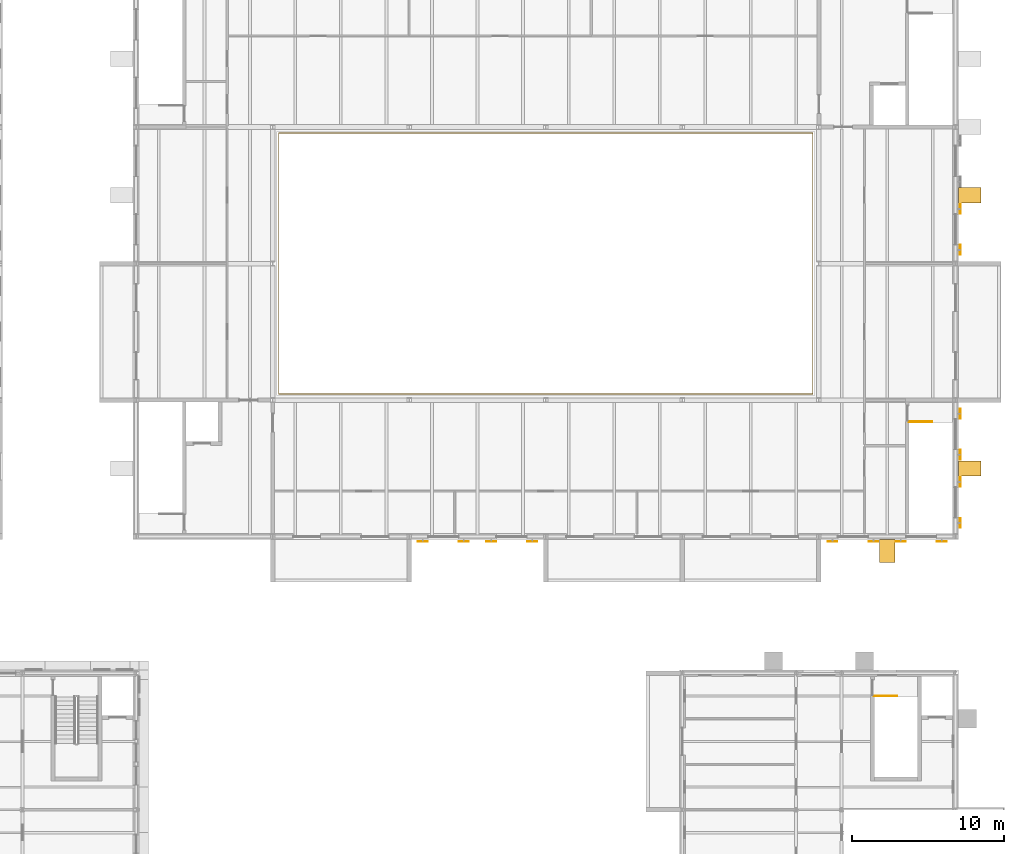
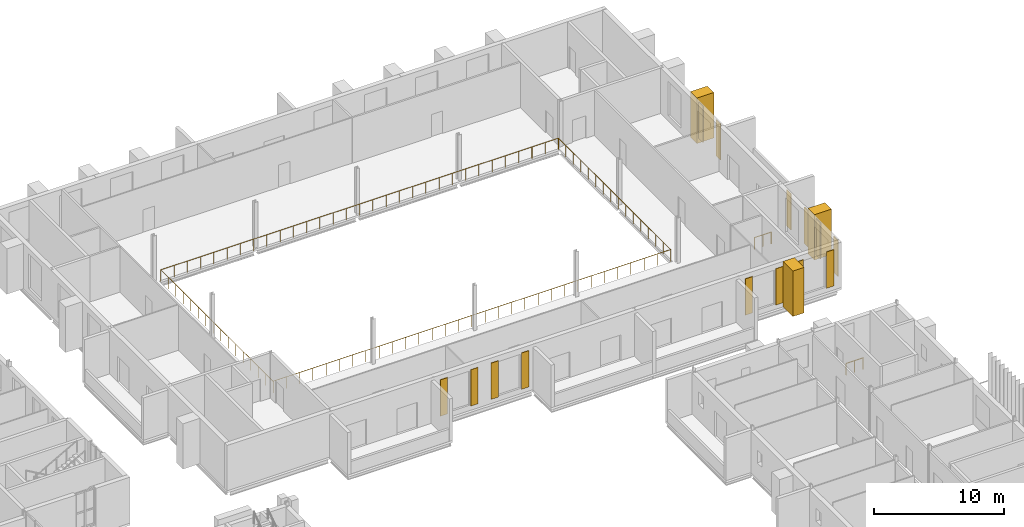
# One storey, part 128 of 131: 14 shading devices, 3 coverings, 3 railings.
"""IFC4 building model written with IfcOpenShell, lengths in metres."""

from ifc_helpers import new_model, si_unit, direction, frame, origin, origin_2d, place, context, subcontext, project, spatial, polyline, rectangle, circle, outline, extrude, material, type_object, element, save


model = new_model("IFC4")

# Units and contexts
model_context = context("Model", 3, precision=1e-05, world=origin(), true_north=direction((0.0, 1.0)))
body_context = subcontext(model_context, "Body", "Model", "MODEL_VIEW")
ifc_project = project(units=[si_unit("LENGTHUNIT", "METRE"), si_unit("AREAUNIT", "SQUARE_METRE"), si_unit("VOLUMEUNIT", "CUBIC_METRE"), si_unit("PLANEANGLEUNIT", "RADIAN"), si_unit("MASSUNIT", "GRAM", prefix="KILO")], contexts=[model_context])

# Site, building, storey
site_placement = place(None, origin())
site = spatial("IfcSite", under=ifc_project, at=site_placement, CompositionType="ELEMENT")
building_placement = place(site_placement, origin())
building = spatial("IfcBuilding", under=site, at=building_placement, Name="Golden Quay Civic Hall", CompositionType="ELEMENT")
storey_placement = place(building_placement, frame((0.0, 0.0, 9.89990234375)))
storey = spatial("IfcBuildingStorey", under=building, at=storey_placement, Name="L02", CompositionType="ELEMENT", Elevation=9.89990234375)

# Coverings
ifc_material_1 = material(Name="Brick, dark clay facing", Category="masonry")
covering_type = type_object("IfcCoveringType", Name="Brick pier cladding 1000 x 1500", PredefinedType="CLADDING", material=ifc_material_1)
covering_1_placement = place(storey_placement, origin())
element("IfcCovering", 1, at=covering_1_placement, inside=storey, type_object=covering_type, Name="Brick pier cladding 1000 x 1500 L02 1", PredefinedType="CLADDING", context=body_context, shape_type="SweptSolid", body=[
    extrude(outline(polyline([(166.0, 62.800048828125), (167.0, 62.800048828125), (167.0, 61.300048828125), (166.0, 61.300048828125), (166.0, 62.800048828125)])), origin(), (0.0, 0.0, 1.0), 4.25),
])
covering_2_placement = place(storey_placement, origin())
element("IfcCovering", 2, at=covering_2_placement, inside=storey, type_object=covering_type, Name="Brick pier cladding 1000 x 1500 L02 12", PredefinedType="CLADDING", context=body_context, shape_type="SweptSolid", body=[
    extrude(outline(polyline([(171.199951171875, 67.0), (171.199951171875, 68.0), (172.699951171875, 68.0), (172.699951171875, 67.0), (171.199951171875, 67.0)])), origin(), (0.0, 0.0, 1.0), 4.25),
])
covering_3_placement = place(storey_placement, origin())
element("IfcCovering", 3, at=covering_3_placement, inside=storey, type_object=covering_type, Name="Brick pier cladding 1000 x 1500 L02 13", PredefinedType="CLADDING", context=body_context, shape_type="SweptSolid", body=[
    extrude(outline(polyline([(171.199951171875, 85.0), (171.199951171875, 86.0), (172.699951171875, 86.0), (172.699951171875, 85.0), (171.199951171875, 85.0)])), origin(), (0.0, 0.0, 1.0), 4.25),
])

# Railings
ifc_material_2 = material(Name="Steel S355", Category="steel")
railing_type = type_object("IfcRailingType", Name="Steel guard 1100", PredefinedType="GUARDRAIL", material=ifc_material_2)
for number, where, name in (
    (4, (165.64990234375, 52.5, 0.0), "L02 EO-N top well guard 1"),
    (5, (167.949951171875, 70.574951171875, 0.0), "L02 LB-STS top well guard 1"),
):
    element("IfcRailing", number, at=place(storey_placement, frame(where)), inside=storey, type_object=railing_type, Name=name, PredefinedType="GUARDRAIL", context=body_context, shape_type="SweptSolid", body=[
        extrude(circle(Radius=0.02392578125, at=origin_2d()), frame((0.0, 0.0, 1.076171875), z_axis=(1.0, 0.0, 0.0), x_axis=(0.0, 1.0, 0.0)), (0.0, 0.0, 1.0), 1.5),
        extrude(circle(Radius=0.02099609375, at=origin_2d()), origin(), (0.0, 0.0, 1.0), 1.052001953125),
        extrude(circle(Radius=0.02099609375, at=origin_2d()), frame((0.75, 0.0, 0.0)), (0.0, 0.0, 1.0), 1.052001953125),
        extrude(circle(Radius=0.02099609375, at=origin_2d()), frame((1.5, 0.0, 0.0)), (0.0, 0.0, 1.0), 1.052001953125),
    ])
railing_placement = place(storey_placement, frame((126.39990234375, 72.39990234375, 0.0)))
element("IfcRailing", 6, at=railing_placement, inside=storey, type_object=railing_type, Name="L02 reading room gallery guard", PredefinedType="GUARDRAIL", context=body_context, shape_type="SweptSolid", body=[
    extrude(circle(Radius=0.02392578125, at=origin_2d()), frame((0.0, 0.0, 1.076171875), z_axis=(1.0, 0.0, 0.0), x_axis=(0.0, 1.0, 0.0)), (0.0, 0.0, 1.0), 35.2001953125),
    extrude(circle(Radius=0.02392578125, at=origin_2d()), frame((35.2001953125, 0.0, 1.076171875), z_axis=(0.0, 1.0, 0.0), x_axis=(-1.0, 0.0, 0.0)), (0.0, 0.0, 1.0), 17.2001953125),
    extrude(circle(Radius=0.02392578125, at=origin_2d()), frame((35.2001953125, 17.2001953125, 1.076171875), z_axis=(-1.0, 0.0, 0.0), x_axis=(0.0, -1.0, 0.0)), (0.0, 0.0, 1.0), 35.2001953125),
    extrude(circle(Radius=0.02392578125, at=origin_2d()), frame((0.0, 17.2001953125, 1.076171875), z_axis=(0.0, -1.0, 0.0), x_axis=(1.0, 0.0, 0.0)), (0.0, 0.0, 1.0), 17.2001953125),
    extrude(circle(Radius=0.02099609375, at=origin_2d()), origin(), (0.0, 0.0, 1.0), 1.052001953125),
    extrude(circle(Radius=0.02099609375, at=origin_2d()), frame((1.17333984375, 0.0, 0.0)), (0.0, 0.0, 1.0), 1.052001953125),
    extrude(circle(Radius=0.02099609375, at=origin_2d()), frame((2.3466796875, 0.0, 0.0)), (0.0, 0.0, 1.0), 1.052001953125),
    extrude(circle(Radius=0.02099609375, at=origin_2d()), frame((3.52001953125, 0.0, 0.0)), (0.0, 0.0, 1.0), 1.052001953125),
    extrude(circle(Radius=0.02099609375, at=origin_2d()), frame((4.693359375, 0.0, 0.0)), (0.0, 0.0, 1.0), 1.052001953125),
    extrude(circle(Radius=0.02099609375, at=origin_2d()), frame((5.86669921875, 0.0, 0.0)), (0.0, 0.0, 1.0), 1.052001953125),
    extrude(circle(Radius=0.02099609375, at=origin_2d()), frame((7.0400390625, 0.0, 0.0)), (0.0, 0.0, 1.0), 1.052001953125),
    extrude(circle(Radius=0.02099609375, at=origin_2d()), frame((8.21337890625, 0.0, 0.0)), (0.0, 0.0, 1.0), 1.052001953125),
    extrude(circle(Radius=0.02099609375, at=origin_2d()), frame((9.38671875, 0.0, 0.0)), (0.0, 0.0, 1.0), 1.052001953125),
    extrude(circle(Radius=0.02099609375, at=origin_2d()), frame((10.56005859375, 0.0, 0.0)), (0.0, 0.0, 1.0), 1.052001953125),
    extrude(circle(Radius=0.02099609375, at=origin_2d()), frame((11.7333984375, 0.0, 0.0)), (0.0, 0.0, 1.0), 1.052001953125),
    extrude(circle(Radius=0.02099609375, at=origin_2d()), frame((12.90673828125, 0.0, 0.0)), (0.0, 0.0, 1.0), 1.052001953125),
    extrude(circle(Radius=0.02099609375, at=origin_2d()), frame((14.080078125, 0.0, 0.0)), (0.0, 0.0, 1.0), 1.052001953125),
    extrude(circle(Radius=0.02099609375, at=origin_2d()), frame((15.25341796875, 0.0, 0.0)), (0.0, 0.0, 1.0), 1.052001953125),
    extrude(circle(Radius=0.02099609375, at=origin_2d()), frame((16.4267578125, 0.0, 0.0)), (0.0, 0.0, 1.0), 1.052001953125),
    extrude(circle(Radius=0.02099609375, at=origin_2d()), frame((17.60009765625, 0.0, 0.0)), (0.0, 0.0, 1.0), 1.052001953125),
    extrude(circle(Radius=0.02099609375, at=origin_2d()), frame((18.7734375, 0.0, 0.0)), (0.0, 0.0, 1.0), 1.052001953125),
    extrude(circle(Radius=0.02099609375, at=origin_2d()), frame((19.94677734375, 0.0, 0.0)), (0.0, 0.0, 1.0), 1.052001953125),
    extrude(circle(Radius=0.02099609375, at=origin_2d()), frame((21.1201171875, 0.0, 0.0)), (0.0, 0.0, 1.0), 1.052001953125),
    extrude(circle(Radius=0.02099609375, at=origin_2d()), frame((22.29345703125, 0.0, 0.0)), (0.0, 0.0, 1.0), 1.052001953125),
    extrude(circle(Radius=0.02099609375, at=origin_2d()), frame((23.466796875, 0.0, 0.0)), (0.0, 0.0, 1.0), 1.052001953125),
    extrude(circle(Radius=0.02099609375, at=origin_2d()), frame((24.64013671875, 0.0, 0.0)), (0.0, 0.0, 1.0), 1.052001953125),
    extrude(circle(Radius=0.02099609375, at=origin_2d()), frame((25.8134765625, 0.0, 0.0)), (0.0, 0.0, 1.0), 1.052001953125),
    extrude(circle(Radius=0.02099609375, at=origin_2d()), frame((26.98681640625, 0.0, 0.0)), (0.0, 0.0, 1.0), 1.052001953125),
    extrude(circle(Radius=0.02099609375, at=origin_2d()), frame((28.16015625, 0.0, 0.0)), (0.0, 0.0, 1.0), 1.052001953125),
    extrude(circle(Radius=0.02099609375, at=origin_2d()), frame((29.33349609375, 0.0, 0.0)), (0.0, 0.0, 1.0), 1.052001953125),
    extrude(circle(Radius=0.02099609375, at=origin_2d()), frame((30.5068359375, 0.0, 0.0)), (0.0, 0.0, 1.0), 1.052001953125),
    extrude(circle(Radius=0.02099609375, at=origin_2d()), frame((31.68017578125, 0.0, 0.0)), (0.0, 0.0, 1.0), 1.052001953125),
    extrude(circle(Radius=0.02099609375, at=origin_2d()), frame((32.853515625, 0.0, 0.0)), (0.0, 0.0, 1.0), 1.052001953125),
    extrude(circle(Radius=0.02099609375, at=origin_2d()), frame((34.02685546875, 0.0, 0.0)), (0.0, 0.0, 1.0), 1.052001953125),
    extrude(circle(Radius=0.02099609375, at=origin_2d()), frame((35.2001953125, 0.0, 0.0)), (0.0, 0.0, 1.0), 1.052001953125),
    extrude(circle(Radius=0.02099609375, at=origin_2d()), frame((35.2001953125, 1.146728515625, 0.0)), (0.0, 0.0, 1.0), 1.052001953125),
    extrude(circle(Radius=0.02099609375, at=origin_2d()), frame((35.2001953125, 2.29345703125, 0.0)), (0.0, 0.0, 1.0), 1.052001953125),
    extrude(circle(Radius=0.02099609375, at=origin_2d()), frame((35.2001953125, 3.43994140625, 0.0)), (0.0, 0.0, 1.0), 1.052001953125),
    extrude(circle(Radius=0.02099609375, at=origin_2d()), frame((35.2001953125, 4.586669921875, 0.0)), (0.0, 0.0, 1.0), 1.052001953125),
    extrude(circle(Radius=0.02099609375, at=origin_2d()), frame((35.2001953125, 5.7333984375, 0.0)), (0.0, 0.0, 1.0), 1.052001953125),
    extrude(circle(Radius=0.02099609375, at=origin_2d()), frame((35.2001953125, 6.880126953125, 0.0)), (0.0, 0.0, 1.0), 1.052001953125),
    extrude(circle(Radius=0.02099609375, at=origin_2d()), frame((35.2001953125, 8.02685546875, 0.0)), (0.0, 0.0, 1.0), 1.052001953125),
    extrude(circle(Radius=0.02099609375, at=origin_2d()), frame((35.2001953125, 9.17333984375, 0.0)), (0.0, 0.0, 1.0), 1.052001953125),
    extrude(circle(Radius=0.02099609375, at=origin_2d()), frame((35.2001953125, 10.320068359375, 0.0)), (0.0, 0.0, 1.0), 1.052001953125),
    extrude(circle(Radius=0.02099609375, at=origin_2d()), frame((35.2001953125, 11.466796875, 0.0)), (0.0, 0.0, 1.0), 1.052001953125),
    extrude(circle(Radius=0.02099609375, at=origin_2d()), frame((35.2001953125, 12.613525390625, 0.0)), (0.0, 0.0, 1.0), 1.052001953125),
    extrude(circle(Radius=0.02099609375, at=origin_2d()), frame((35.2001953125, 13.76025390625, 0.0)), (0.0, 0.0, 1.0), 1.052001953125),
    extrude(circle(Radius=0.02099609375, at=origin_2d()), frame((35.2001953125, 14.90673828125, 0.0)), (0.0, 0.0, 1.0), 1.052001953125),
    extrude(circle(Radius=0.02099609375, at=origin_2d()), frame((35.2001953125, 16.053466796875, 0.0)), (0.0, 0.0, 1.0), 1.052001953125),
    extrude(circle(Radius=0.02099609375, at=origin_2d()), frame((35.2001953125, 17.2001953125, 0.0)), (0.0, 0.0, 1.0), 1.052001953125),
    extrude(circle(Radius=0.02099609375, at=origin_2d()), frame((34.02685546875, 17.2001953125, 0.0)), (0.0, 0.0, 1.0), 1.052001953125),
    extrude(circle(Radius=0.02099609375, at=origin_2d()), frame((32.853515625, 17.2001953125, 0.0)), (0.0, 0.0, 1.0), 1.052001953125),
    extrude(circle(Radius=0.02099609375, at=origin_2d()), frame((31.68017578125, 17.2001953125, 0.0)), (0.0, 0.0, 1.0), 1.052001953125),
    extrude(circle(Radius=0.02099609375, at=origin_2d()), frame((30.5068359375, 17.2001953125, 0.0)), (0.0, 0.0, 1.0), 1.052001953125),
    extrude(circle(Radius=0.02099609375, at=origin_2d()), frame((29.33349609375, 17.2001953125, 0.0)), (0.0, 0.0, 1.0), 1.052001953125),
    extrude(circle(Radius=0.02099609375, at=origin_2d()), frame((28.16015625, 17.2001953125, 0.0)), (0.0, 0.0, 1.0), 1.052001953125),
    extrude(circle(Radius=0.02099609375, at=origin_2d()), frame((26.98681640625, 17.2001953125, 0.0)), (0.0, 0.0, 1.0), 1.052001953125),
    extrude(circle(Radius=0.02099609375, at=origin_2d()), frame((25.8134765625, 17.2001953125, 0.0)), (0.0, 0.0, 1.0), 1.052001953125),
    extrude(circle(Radius=0.02099609375, at=origin_2d()), frame((24.64013671875, 17.2001953125, 0.0)), (0.0, 0.0, 1.0), 1.052001953125),
    extrude(circle(Radius=0.02099609375, at=origin_2d()), frame((23.466796875, 17.2001953125, 0.0)), (0.0, 0.0, 1.0), 1.052001953125),
    extrude(circle(Radius=0.02099609375, at=origin_2d()), frame((22.29345703125, 17.2001953125, 0.0)), (0.0, 0.0, 1.0), 1.052001953125),
    extrude(circle(Radius=0.02099609375, at=origin_2d()), frame((21.1201171875, 17.2001953125, 0.0)), (0.0, 0.0, 1.0), 1.052001953125),
    extrude(circle(Radius=0.02099609375, at=origin_2d()), frame((19.94677734375, 17.2001953125, 0.0)), (0.0, 0.0, 1.0), 1.052001953125),
    extrude(circle(Radius=0.02099609375, at=origin_2d()), frame((18.7734375, 17.2001953125, 0.0)), (0.0, 0.0, 1.0), 1.052001953125),
    extrude(circle(Radius=0.02099609375, at=origin_2d()), frame((17.60009765625, 17.2001953125, 0.0)), (0.0, 0.0, 1.0), 1.052001953125),
    extrude(circle(Radius=0.02099609375, at=origin_2d()), frame((16.4267578125, 17.2001953125, 0.0)), (0.0, 0.0, 1.0), 1.052001953125),
    extrude(circle(Radius=0.02099609375, at=origin_2d()), frame((15.25341796875, 17.2001953125, 0.0)), (0.0, 0.0, 1.0), 1.052001953125),
    extrude(circle(Radius=0.02099609375, at=origin_2d()), frame((14.080078125, 17.2001953125, 0.0)), (0.0, 0.0, 1.0), 1.052001953125),
    extrude(circle(Radius=0.02099609375, at=origin_2d()), frame((12.90673828125, 17.2001953125, 0.0)), (0.0, 0.0, 1.0), 1.052001953125),
    extrude(circle(Radius=0.02099609375, at=origin_2d()), frame((11.7333984375, 17.2001953125, 0.0)), (0.0, 0.0, 1.0), 1.052001953125),
    extrude(circle(Radius=0.02099609375, at=origin_2d()), frame((10.56005859375, 17.2001953125, 0.0)), (0.0, 0.0, 1.0), 1.052001953125),
    extrude(circle(Radius=0.02099609375, at=origin_2d()), frame((9.38671875, 17.2001953125, 0.0)), (0.0, 0.0, 1.0), 1.052001953125),
    extrude(circle(Radius=0.02099609375, at=origin_2d()), frame((8.21337890625, 17.2001953125, 0.0)), (0.0, 0.0, 1.0), 1.052001953125),
    extrude(circle(Radius=0.02099609375, at=origin_2d()), frame((7.0400390625, 17.2001953125, 0.0)), (0.0, 0.0, 1.0), 1.052001953125),
    extrude(circle(Radius=0.02099609375, at=origin_2d()), frame((5.86669921875, 17.2001953125, 0.0)), (0.0, 0.0, 1.0), 1.052001953125),
    extrude(circle(Radius=0.02099609375, at=origin_2d()), frame((4.693359375, 17.2001953125, 0.0)), (0.0, 0.0, 1.0), 1.052001953125),
    extrude(circle(Radius=0.02099609375, at=origin_2d()), frame((3.52001953125, 17.2001953125, 0.0)), (0.0, 0.0, 1.0), 1.052001953125),
    extrude(circle(Radius=0.02099609375, at=origin_2d()), frame((2.3466796875, 17.2001953125, 0.0)), (0.0, 0.0, 1.0), 1.052001953125),
    extrude(circle(Radius=0.02099609375, at=origin_2d()), frame((1.17333984375, 17.2001953125, 0.0)), (0.0, 0.0, 1.0), 1.052001953125),
    extrude(circle(Radius=0.02099609375, at=origin_2d()), frame((0.0, 17.2001953125, 0.0)), (0.0, 0.0, 1.0), 1.052001953125),
    extrude(circle(Radius=0.02099609375, at=origin_2d()), frame((0.0, 16.053466796875, 0.0)), (0.0, 0.0, 1.0), 1.052001953125),
    extrude(circle(Radius=0.02099609375, at=origin_2d()), frame((0.0, 14.90673828125, 0.0)), (0.0, 0.0, 1.0), 1.052001953125),
    extrude(circle(Radius=0.02099609375, at=origin_2d()), frame((0.0, 13.76025390625, 0.0)), (0.0, 0.0, 1.0), 1.052001953125),
    extrude(circle(Radius=0.02099609375, at=origin_2d()), frame((0.0, 12.613525390625, 0.0)), (0.0, 0.0, 1.0), 1.052001953125),
    extrude(circle(Radius=0.02099609375, at=origin_2d()), frame((0.0, 11.466796875, 0.0)), (0.0, 0.0, 1.0), 1.052001953125),
    extrude(circle(Radius=0.02099609375, at=origin_2d()), frame((0.0, 10.320068359375, 0.0)), (0.0, 0.0, 1.0), 1.052001953125),
    extrude(circle(Radius=0.02099609375, at=origin_2d()), frame((0.0, 9.17333984375, 0.0)), (0.0, 0.0, 1.0), 1.052001953125),
    extrude(circle(Radius=0.02099609375, at=origin_2d()), frame((0.0, 8.02685546875, 0.0)), (0.0, 0.0, 1.0), 1.052001953125),
    extrude(circle(Radius=0.02099609375, at=origin_2d()), frame((0.0, 6.880126953125, 0.0)), (0.0, 0.0, 1.0), 1.052001953125),
    extrude(circle(Radius=0.02099609375, at=origin_2d()), frame((0.0, 5.7333984375, 0.0)), (0.0, 0.0, 1.0), 1.052001953125),
    extrude(circle(Radius=0.02099609375, at=origin_2d()), frame((0.0, 4.586669921875, 0.0)), (0.0, 0.0, 1.0), 1.052001953125),
    extrude(circle(Radius=0.02099609375, at=origin_2d()), frame((0.0, 3.43994140625, 0.0)), (0.0, 0.0, 1.0), 1.052001953125),
    extrude(circle(Radius=0.02099609375, at=origin_2d()), frame((0.0, 2.29345703125, 0.0)), (0.0, 0.0, 1.0), 1.052001953125),
    extrude(circle(Radius=0.02099609375, at=origin_2d()), frame((0.0, 1.146728515625, 0.0)), (0.0, 0.0, 1.0), 1.052001953125),
])

# Shading devices
ifc_material_3 = material(Name="Timber", Category="wood")
shading_device_type = type_object("IfcShadingDeviceType", Name="Timber storm shutter leaf 650 x 3400", PredefinedType="SHUTTER", material=ifc_material_3)
for number, where, z_axis, x_axis, name in (
    (7, (135.89990234375, 62.675048828125, 0.500244140625), (0.0, 0.0, 1.0), (1.0, 0.0, 0.0), "Storm shutter L02-S202a"),
    (8, (138.60009765625, 62.675048828125, 0.500244140625), (0.0, 0.0, 1.0), (1.0, 0.0, 0.0), "Storm shutter L02-S202b"),
    (9, (140.39990234375, 62.675048828125, 0.500244140625), (0.0, 0.0, 1.0), (1.0, 0.0, 0.0), "Storm shutter L02-S247a"),
    (10, (143.10009765625, 62.675048828125, 0.500244140625), (0.0, 0.0, 1.0), (1.0, 0.0, 0.0), "Storm shutter L02-S247b"),
    (11, (162.89990234375, 62.675048828125, 0.500244140625), (0.0, 0.0, 1.0), (1.0, 0.0, 0.0), "Storm shutter L02-S472a"),
    (12, (165.60009765625, 62.675048828125, 0.500244140625), (0.0, 0.0, 1.0), (1.0, 0.0, 0.0), "Storm shutter L02-S472b"),
    (13, (167.39990234375, 62.675048828125, 0.500244140625), (0.0, 0.0, 1.0), (1.0, 0.0, 0.0), "Storm shutter L02-S517a"),
    (14, (170.10009765625, 62.675048828125, 0.500244140625), (0.0, 0.0, 1.0), (1.0, 0.0, 0.0), "Storm shutter L02-S517b"),
):
    element("IfcShadingDevice", number, at=place(storey_placement, frame(where, z_axis=z_axis, x_axis=x_axis)), inside=storey, type_object=shading_device_type, Name=name, PredefinedType="SHUTTER", context=body_context, shape_type="SweptSolid", body=[
        extrude(rectangle(XDim=0.64990234375, YDim=0.050048828125, at=origin_2d()), origin(), (0.0, 0.0, 1.0), 3.39990234375),
    ])
for number, where, z_axis, x_axis, name in (
    (15, (171.324951171875, 63.89990234375, 0.500244140625), (0.0, 0.0, 1.0), (1.0, 0.0, 0.0), "Storm shutter L02-E22a"),
    (16, (171.324951171875, 66.60009765625, 0.500244140625), (0.0, 0.0, 1.0), (1.0, 0.0, 0.0), "Storm shutter L02-E22b"),
    (17, (171.324951171875, 68.39990234375, 0.500244140625), (0.0, 0.0, 1.0), (1.0, 0.0, 0.0), "Storm shutter L02-E67a"),
    (18, (171.324951171875, 71.10009765625, 0.500244140625), (0.0, 0.0, 1.0), (1.0, 0.0, 0.0), "Storm shutter L02-E67b"),
    (19, (171.324951171875, 81.89990234375, 0.500244140625), (0.0, 0.0, 1.0), (1.0, 0.0, 0.0), "Storm shutter L02-E202a"),
    (20, (171.324951171875, 84.60009765625, 0.500244140625), (0.0, 0.0, 1.0), (1.0, 0.0, 0.0), "Storm shutter L02-E202b"),
):
    element("IfcShadingDevice", number, at=place(storey_placement, frame(where, z_axis=z_axis, x_axis=x_axis)), inside=storey, type_object=shading_device_type, Name=name, PredefinedType="SHUTTER", context=body_context, shape_type="SweptSolid", body=[
        extrude(rectangle(XDim=0.050048828125, YDim=0.64990234375, at=origin_2d()), origin(), (0.0, 0.0, 1.0), 3.39990234375),
    ])

save(model, "model.ifc")
